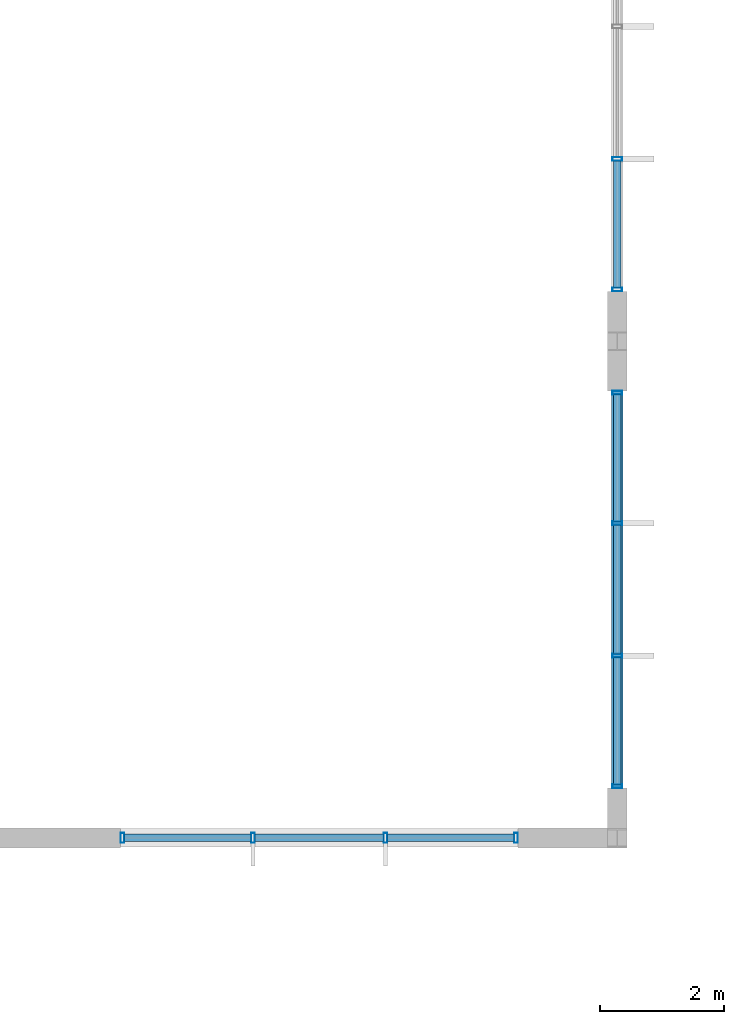
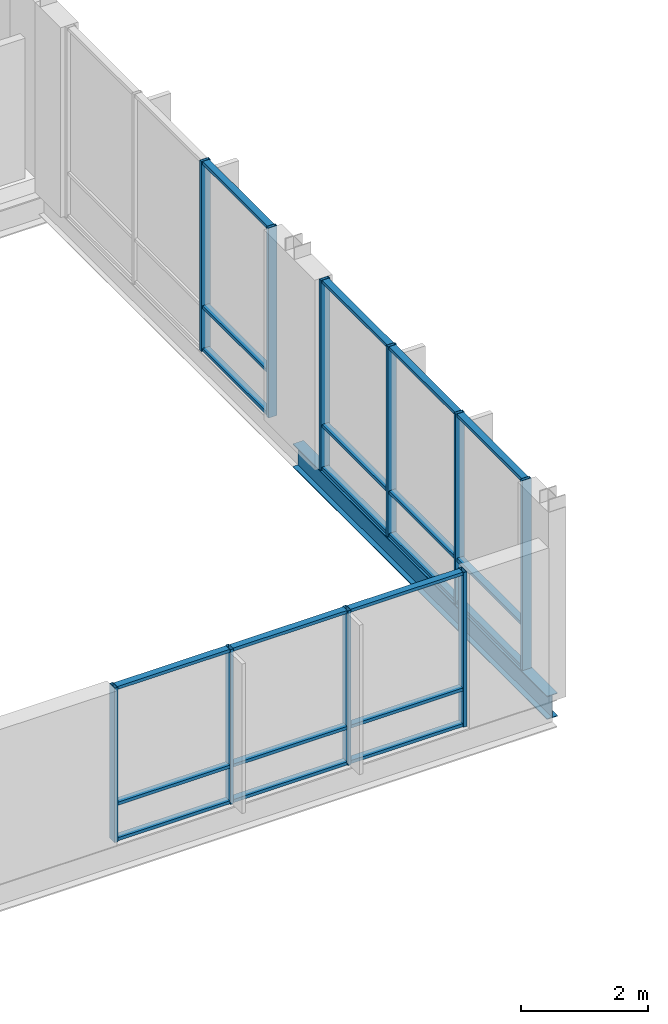
# One storey, part 116 of 189: 31 members, 1 beam, 3 elements without a shape of their own.
"""IFC4 building model written with IfcOpenShell, lengths in metres."""

from ifc_helpers import new_model, si_unit, direction, frame, origin, origin_2d, place, context, subcontext, project, spatial, hollow_rectangle, i_section, extrude, material, material_profile, profile_set, type_object, element, aggregate, save


model = new_model("IFC4")

# Units and contexts
model_context = context("Model", 3, precision=1e-05, world=origin(), true_north=direction((0.0, 1.0)))
body_context = subcontext(model_context, "Body", "Model", "MODEL_VIEW")
ifc_project = project(units=[si_unit("LENGTHUNIT", "METRE"), si_unit("AREAUNIT", "SQUARE_METRE"), si_unit("VOLUMEUNIT", "CUBIC_METRE"), si_unit("PLANEANGLEUNIT", "RADIAN"), si_unit("MASSUNIT", "GRAM", prefix="KILO")], contexts=[model_context])

# Site, building, storey
site_placement = place(None, origin())
site = spatial("IfcSite", under=ifc_project, at=site_placement, CompositionType="ELEMENT")
building_placement = place(site_placement, origin())
building = spatial("IfcBuilding", under=site, at=building_placement, Name="Zavelmont Quarter", CompositionType="ELEMENT")
storey_placement = place(building_placement, frame((0.0, 0.0, 4.39990234375)))
storey = spatial("IfcBuildingStorey", under=building, at=storey_placement, Name="L01", CompositionType="ELEMENT", Elevation=4.39990234375)

# Beam
ifc_material_1 = material(Name="Steel S355", Category="steel")
ifc_material_profile_1 = material_profile(ifc_material_1, i_section(OverallWidth=0.18994140625, OverallDepth=0.449951171875, WebThickness=0.009521484375, FlangeThickness=0.0146484375, at=origin_2d()), Name="IPE 450")
ifc_profile_set_1 = profile_set([ifc_material_profile_1], Name="Steel S355")
beam_type = type_object("IfcBeamType", Name="BM12", PredefinedType="BEAM", material=ifc_profile_set_1)
beam_placement = place(storey_placement, frame((168.0, 38.0, -0.5048828125), z_axis=(0.0, 1.0, 0.0), x_axis=(-1.0, 0.0, 0.0)))
element("IfcBeam", 1, at=beam_placement, inside=storey, type_object=beam_type, Name="L01 beam BM12 25/G to 25/H", PredefinedType="BEAM", context=body_context, shape_type="SweptSolid", body=[
    extrude(i_section(OverallWidth=0.18994140625, OverallDepth=0.449951171875, WebThickness=0.009521484375, FlangeThickness=0.0146484375, at=origin_2d()), origin(), (0.0, 0.0, 1.0), 8.0),
])

# Curtain wall, members
ifc_material_2 = material(Name="Thermally broken aluminium and double low-E safety glazing", Category="aluminium")
curtain_wall_type_1 = type_object("IfcCurtainWallType", Name="CW-640X365", PredefinedType="NOTDEFINED", material=ifc_material_2)
curtain_wall_1_placement = place(storey_placement, origin())
curtain_wall_1 = element("IfcCurtainWall", 2, at=curtain_wall_1_placement, inside=storey, type_object=curtain_wall_type_1, Name="L01 unitised curtain wall CW-640X365", PredefinedType="NOTDEFINED")
ifc_material_3 = material(Name="Powder-coated aluminium EN AW-6063-T6", Category="aluminium")
ifc_material_profile_2 = material_profile(ifc_material_3, hollow_rectangle(XDim=0.06005859375, YDim=0.159912109375, WallThickness=0.00390625, at=origin_2d()), Name="CWM60X160")
ifc_profile_set_2 = profile_set([ifc_material_profile_2], Name="Powder-coated aluminium EN AW-6063-T6")
member_type_1 = type_object("IfcMemberType", Name="CWM01", PredefinedType="MULLION", material=ifc_profile_set_2)
member_1_placement = place(storey_placement, frame((168.0, 38.830078125, -0.27978515625), z_axis=(0.0, 0.0, 1.0), x_axis=(0.0, 1.0, 0.0)))
member_1 = element("IfcMember", 3, at=member_1_placement, type_object=member_type_1, Name="CW-640X365 mullion 1", PredefinedType="MULLION", context=body_context, shape_type="SweptSolid", body=[
    extrude(hollow_rectangle(XDim=0.06005859375, YDim=0.159912109375, WallThickness=0.00390625, at=origin_2d()), origin(), (0.0, 0.0, 1.0), 3.64990234375),
])
member_2_placement = place(storey_placement, frame((168.0, 40.933349609375, -0.27978515625), z_axis=(0.0, 0.0, 1.0), x_axis=(0.0, 1.0, 0.0)))
member_2 = element("IfcMember", 4, at=member_2_placement, type_object=member_type_1, Name="CW-640X365 mullion 2", PredefinedType="MULLION", context=body_context, shape_type="SweptSolid", body=[
    extrude(hollow_rectangle(XDim=0.06005859375, YDim=0.159912109375, WallThickness=0.00390625, at=origin_2d()), origin(), (0.0, 0.0, 1.0), 3.64990234375),
])
member_3_placement = place(storey_placement, frame((168.0, 43.066650390625, -0.27978515625), z_axis=(0.0, 0.0, 1.0), x_axis=(0.0, 1.0, 0.0)))
member_3 = element("IfcMember", 5, at=member_3_placement, type_object=member_type_1, Name="CW-640X365 mullion 3", PredefinedType="MULLION", context=body_context, shape_type="SweptSolid", body=[
    extrude(hollow_rectangle(XDim=0.06005859375, YDim=0.159912109375, WallThickness=0.00390625, at=origin_2d()), origin(), (0.0, 0.0, 1.0), 3.64990234375),
])
member_4_placement = place(storey_placement, frame((168.0, 45.169921875, -0.27978515625), z_axis=(0.0, 0.0, 1.0), x_axis=(0.0, 1.0, 0.0)))
member_4 = element("IfcMember", 6, at=member_4_placement, type_object=member_type_1, Name="CW-640X365 mullion 4", PredefinedType="MULLION", context=body_context, shape_type="SweptSolid", body=[
    extrude(hollow_rectangle(XDim=0.06005859375, YDim=0.159912109375, WallThickness=0.00390625, at=origin_2d()), origin(), (0.0, 0.0, 1.0), 3.64990234375),
])

curtain_wall_2_placement = place(storey_placement, origin())
curtain_wall_2 = element("IfcCurtainWall", 7, at=curtain_wall_2_placement, inside=storey, type_object=curtain_wall_type_1, Name="L01 unitised curtain wall CW-640X365", PredefinedType="NOTDEFINED")
member_5_placement = place(storey_placement, frame((168.0, 46.830078125, -0.27978515625), z_axis=(0.0, 0.0, 1.0), x_axis=(0.0, 1.0, 0.0)))
member_5 = element("IfcMember", 8, at=member_5_placement, type_object=member_type_1, Name="CW-640X365 mullion 1", PredefinedType="MULLION", context=body_context, shape_type="SweptSolid", body=[
    extrude(hollow_rectangle(XDim=0.06005859375, YDim=0.159912109375, WallThickness=0.00390625, at=origin_2d()), origin(), (0.0, 0.0, 1.0), 3.64990234375),
])
member_6_placement = place(storey_placement, frame((168.0, 48.933349609375, -0.27978515625), z_axis=(0.0, 0.0, 1.0), x_axis=(0.0, 1.0, 0.0)))
member_6 = element("IfcMember", 9, at=member_6_placement, type_object=member_type_1, Name="CW-640X365 mullion 2", PredefinedType="MULLION", context=body_context, shape_type="SweptSolid", body=[
    extrude(hollow_rectangle(XDim=0.06005859375, YDim=0.159912109375, WallThickness=0.00390625, at=origin_2d()), origin(), (0.0, 0.0, 1.0), 3.64990234375),
])

curtain_wall_type_2 = type_object("IfcCurtainWallType", Name="CW-640X297", PredefinedType="NOTDEFINED", material=ifc_material_2)
curtain_wall_3_placement = place(storey_placement, origin())
curtain_wall_3 = element("IfcCurtainWall", 10, at=curtain_wall_3_placement, inside=storey, type_object=curtain_wall_type_2, Name="L01 unitised curtain wall CW-640X297", PredefinedType="NOTDEFINED")
member_7_placement = place(storey_placement, frame((160.030029296875, 38.0, -0.27978515625), z_axis=(0.0, 0.0, 1.0), x_axis=(1.0, 0.0, 0.0)))
member_7 = element("IfcMember", 11, at=member_7_placement, type_object=member_type_1, Name="CW-640X297 mullion 1", PredefinedType="MULLION", context=body_context, shape_type="SweptSolid", body=[
    extrude(hollow_rectangle(XDim=0.06005859375, YDim=0.159912109375, WallThickness=0.00390625, at=origin_2d()), origin(), (0.0, 0.0, 1.0), 2.969970703125),
])
member_8_placement = place(storey_placement, frame((162.13330078125, 38.0, -0.27978515625), z_axis=(0.0, 0.0, 1.0), x_axis=(1.0, 0.0, 0.0)))
member_8 = element("IfcMember", 12, at=member_8_placement, type_object=member_type_1, Name="CW-640X297 mullion 2", PredefinedType="MULLION", context=body_context, shape_type="SweptSolid", body=[
    extrude(hollow_rectangle(XDim=0.06005859375, YDim=0.159912109375, WallThickness=0.00390625, at=origin_2d()), origin(), (0.0, 0.0, 1.0), 2.969970703125),
])
member_9_placement = place(storey_placement, frame((164.2666015625, 38.0, -0.27978515625), z_axis=(0.0, 0.0, 1.0), x_axis=(1.0, 0.0, 0.0)))
member_9 = element("IfcMember", 13, at=member_9_placement, type_object=member_type_1, Name="CW-640X297 mullion 3", PredefinedType="MULLION", context=body_context, shape_type="SweptSolid", body=[
    extrude(hollow_rectangle(XDim=0.06005859375, YDim=0.159912109375, WallThickness=0.00390625, at=origin_2d()), origin(), (0.0, 0.0, 1.0), 2.969970703125),
])
member_10_placement = place(storey_placement, frame((166.3701171875, 38.0, -0.27978515625), z_axis=(0.0, 0.0, 1.0), x_axis=(1.0, 0.0, 0.0)))
member_10 = element("IfcMember", 14, at=member_10_placement, type_object=member_type_1, Name="CW-640X297 mullion 4", PredefinedType="MULLION", context=body_context, shape_type="SweptSolid", body=[
    extrude(hollow_rectangle(XDim=0.06005859375, YDim=0.159912109375, WallThickness=0.00390625, at=origin_2d()), origin(), (0.0, 0.0, 1.0), 2.969970703125),
])

# Member
ifc_material_profile_3 = material_profile(ifc_material_3, hollow_rectangle(XDim=0.1201171875, YDim=0.06005859375, WallThickness=0.00390625, at=origin_2d()), Name="CWT60X120")
ifc_profile_set_3 = profile_set([ifc_material_profile_3], Name="Powder-coated aluminium EN AW-6063-T6")
member_type_2 = type_object("IfcMemberType", Name="CWT01", PredefinedType="NOTDEFINED", material=ifc_profile_set_3)
member_11_placement = place(storey_placement, frame((168.0, 38.860107421875, -0.25), z_axis=(0.0, 1.0, 0.0), x_axis=(-1.0, 0.0, 0.0)))
member_11 = element("IfcMember", 15, at=member_11_placement, type_object=member_type_2, Name="CW-640X365 transom 1.1", ObjectType="TRANSOM", PredefinedType="USERDEFINED", context=body_context, shape_type="SweptSolid", body=[
    extrude(hollow_rectangle(XDim=0.1201171875, YDim=0.06005859375, WallThickness=0.00390625, at=origin_2d()), origin(), (0.0, 0.0, 1.0), 2.043212890625),
])

member_12_placement = place(storey_placement, frame((168.0, 38.860107421875, 0.570068359375), z_axis=(0.0, 1.0, 0.0), x_axis=(-1.0, 0.0, 0.0)))
member_12 = element("IfcMember", 16, at=member_12_placement, type_object=member_type_2, Name="CW-640X365 transom 1.2", ObjectType="TRANSOM", PredefinedType="USERDEFINED", context=body_context, shape_type="SweptSolid", body=[
    extrude(hollow_rectangle(XDim=0.1201171875, YDim=0.06005859375, WallThickness=0.00390625, at=origin_2d()), origin(), (0.0, 0.0, 1.0), 2.043212890625),
])

member_13_placement = place(storey_placement, frame((168.0, 38.860107421875, 3.340087890625), z_axis=(0.0, 1.0, 0.0), x_axis=(-1.0, 0.0, 0.0)))
member_13 = element("IfcMember", 17, at=member_13_placement, type_object=member_type_2, Name="CW-640X365 transom 1.3", ObjectType="TRANSOM", PredefinedType="USERDEFINED", context=body_context, shape_type="SweptSolid", body=[
    extrude(hollow_rectangle(XDim=0.1201171875, YDim=0.06005859375, WallThickness=0.00390625, at=origin_2d()), origin(), (0.0, 0.0, 1.0), 2.043212890625),
])

member_14_placement = place(storey_placement, frame((168.0, 40.96337890625, -0.25), z_axis=(0.0, 1.0, 0.0), x_axis=(-1.0, 0.0, 0.0)))
member_14 = element("IfcMember", 18, at=member_14_placement, type_object=member_type_2, Name="CW-640X365 transom 2.1", ObjectType="TRANSOM", PredefinedType="USERDEFINED", context=body_context, shape_type="SweptSolid", body=[
    extrude(hollow_rectangle(XDim=0.1201171875, YDim=0.06005859375, WallThickness=0.00390625, at=origin_2d()), origin(), (0.0, 0.0, 1.0), 2.0732421875),
])

member_15_placement = place(storey_placement, frame((168.0, 40.96337890625, 0.570068359375), z_axis=(0.0, 1.0, 0.0), x_axis=(-1.0, 0.0, 0.0)))
member_15 = element("IfcMember", 19, at=member_15_placement, type_object=member_type_2, Name="CW-640X365 transom 2.2", ObjectType="TRANSOM", PredefinedType="USERDEFINED", context=body_context, shape_type="SweptSolid", body=[
    extrude(hollow_rectangle(XDim=0.1201171875, YDim=0.06005859375, WallThickness=0.00390625, at=origin_2d()), origin(), (0.0, 0.0, 1.0), 2.0732421875),
])

member_16_placement = place(storey_placement, frame((168.0, 40.96337890625, 3.340087890625), z_axis=(0.0, 1.0, 0.0), x_axis=(-1.0, 0.0, 0.0)))
member_16 = element("IfcMember", 20, at=member_16_placement, type_object=member_type_2, Name="CW-640X365 transom 2.3", ObjectType="TRANSOM", PredefinedType="USERDEFINED", context=body_context, shape_type="SweptSolid", body=[
    extrude(hollow_rectangle(XDim=0.1201171875, YDim=0.06005859375, WallThickness=0.00390625, at=origin_2d()), origin(), (0.0, 0.0, 1.0), 2.0732421875),
])

member_17_placement = place(storey_placement, frame((168.0, 43.0966796875, -0.25), z_axis=(0.0, 1.0, 0.0), x_axis=(-1.0, 0.0, 0.0)))
member_17 = element("IfcMember", 21, at=member_17_placement, type_object=member_type_2, Name="CW-640X365 transom 3.1", ObjectType="TRANSOM", PredefinedType="USERDEFINED", context=body_context, shape_type="SweptSolid", body=[
    extrude(hollow_rectangle(XDim=0.1201171875, YDim=0.06005859375, WallThickness=0.00390625, at=origin_2d()), origin(), (0.0, 0.0, 1.0), 2.043212890625),
])

member_18_placement = place(storey_placement, frame((168.0, 43.0966796875, 0.570068359375), z_axis=(0.0, 1.0, 0.0), x_axis=(-1.0, 0.0, 0.0)))
member_18 = element("IfcMember", 22, at=member_18_placement, type_object=member_type_2, Name="CW-640X365 transom 3.2", ObjectType="TRANSOM", PredefinedType="USERDEFINED", context=body_context, shape_type="SweptSolid", body=[
    extrude(hollow_rectangle(XDim=0.1201171875, YDim=0.06005859375, WallThickness=0.00390625, at=origin_2d()), origin(), (0.0, 0.0, 1.0), 2.043212890625),
])

member_19_placement = place(storey_placement, frame((168.0, 43.0966796875, 3.340087890625), z_axis=(0.0, 1.0, 0.0), x_axis=(-1.0, 0.0, 0.0)))
member_19 = element("IfcMember", 23, at=member_19_placement, type_object=member_type_2, Name="CW-640X365 transom 3.3", ObjectType="TRANSOM", PredefinedType="USERDEFINED", context=body_context, shape_type="SweptSolid", body=[
    extrude(hollow_rectangle(XDim=0.1201171875, YDim=0.06005859375, WallThickness=0.00390625, at=origin_2d()), origin(), (0.0, 0.0, 1.0), 2.043212890625),
])

aggregate(curtain_wall_1, [member_1, member_2, member_3, member_4, member_11, member_12, member_13, member_14, member_15, member_16, member_17, member_18, member_19])

member_20_placement = place(storey_placement, frame((168.0, 46.860107421875, -0.25), z_axis=(0.0, 1.0, 0.0), x_axis=(-1.0, 0.0, 0.0)))
member_20 = element("IfcMember", 24, at=member_20_placement, type_object=member_type_2, Name="CW-640X365 transom 1.1", ObjectType="TRANSOM", PredefinedType="USERDEFINED", context=body_context, shape_type="SweptSolid", body=[
    extrude(hollow_rectangle(XDim=0.1201171875, YDim=0.06005859375, WallThickness=0.00390625, at=origin_2d()), origin(), (0.0, 0.0, 1.0), 2.043212890625),
])

member_21_placement = place(storey_placement, frame((168.0, 46.860107421875, 0.570068359375), z_axis=(0.0, 1.0, 0.0), x_axis=(-1.0, 0.0, 0.0)))
member_21 = element("IfcMember", 25, at=member_21_placement, type_object=member_type_2, Name="CW-640X365 transom 1.2", ObjectType="TRANSOM", PredefinedType="USERDEFINED", context=body_context, shape_type="SweptSolid", body=[
    extrude(hollow_rectangle(XDim=0.1201171875, YDim=0.06005859375, WallThickness=0.00390625, at=origin_2d()), origin(), (0.0, 0.0, 1.0), 2.043212890625),
])

member_22_placement = place(storey_placement, frame((168.0, 46.860107421875, 3.340087890625), z_axis=(0.0, 1.0, 0.0), x_axis=(-1.0, 0.0, 0.0)))
member_22 = element("IfcMember", 26, at=member_22_placement, type_object=member_type_2, Name="CW-640X365 transom 1.3", ObjectType="TRANSOM", PredefinedType="USERDEFINED", context=body_context, shape_type="SweptSolid", body=[
    extrude(hollow_rectangle(XDim=0.1201171875, YDim=0.06005859375, WallThickness=0.00390625, at=origin_2d()), origin(), (0.0, 0.0, 1.0), 2.043212890625),
])

aggregate(curtain_wall_2, [member_5, member_6, member_20, member_21, member_22])

member_23_placement = place(storey_placement, frame((160.06005859375, 38.0, -0.25), z_axis=(1.0, 0.0, 0.0), x_axis=(0.0, 1.0, 0.0)))
member_23 = element("IfcMember", 27, at=member_23_placement, type_object=member_type_2, Name="CW-640X297 transom 1.1", ObjectType="TRANSOM", PredefinedType="USERDEFINED", context=body_context, shape_type="SweptSolid", body=[
    extrude(hollow_rectangle(XDim=0.1201171875, YDim=0.06005859375, WallThickness=0.00390625, at=origin_2d()), origin(), (0.0, 0.0, 1.0), 2.043212890625),
])

member_24_placement = place(storey_placement, frame((160.06005859375, 38.0, 0.43310546875), z_axis=(1.0, 0.0, 0.0), x_axis=(0.0, 1.0, 0.0)))
member_24 = element("IfcMember", 28, at=member_24_placement, type_object=member_type_2, Name="CW-640X297 transom 1.2", ObjectType="TRANSOM", PredefinedType="USERDEFINED", context=body_context, shape_type="SweptSolid", body=[
    extrude(hollow_rectangle(XDim=0.1201171875, YDim=0.06005859375, WallThickness=0.00390625, at=origin_2d()), origin(), (0.0, 0.0, 1.0), 2.043212890625),
])

member_25_placement = place(storey_placement, frame((160.06005859375, 38.0, 2.66015625), z_axis=(1.0, 0.0, 0.0), x_axis=(0.0, 1.0, 0.0)))
member_25 = element("IfcMember", 29, at=member_25_placement, type_object=member_type_2, Name="CW-640X297 transom 1.3", ObjectType="TRANSOM", PredefinedType="USERDEFINED", context=body_context, shape_type="SweptSolid", body=[
    extrude(hollow_rectangle(XDim=0.1201171875, YDim=0.06005859375, WallThickness=0.00390625, at=origin_2d()), origin(), (0.0, 0.0, 1.0), 2.043212890625),
])

member_26_placement = place(storey_placement, frame((162.163330078125, 38.0, -0.25), z_axis=(1.0, 0.0, 0.0), x_axis=(0.0, 1.0, 0.0)))
member_26 = element("IfcMember", 30, at=member_26_placement, type_object=member_type_2, Name="CW-640X297 transom 2.1", ObjectType="TRANSOM", PredefinedType="USERDEFINED", context=body_context, shape_type="SweptSolid", body=[
    extrude(hollow_rectangle(XDim=0.1201171875, YDim=0.06005859375, WallThickness=0.00390625, at=origin_2d()), origin(), (0.0, 0.0, 1.0), 2.0732421875),
])

member_27_placement = place(storey_placement, frame((162.163330078125, 38.0, 0.43310546875), z_axis=(1.0, 0.0, 0.0), x_axis=(0.0, 1.0, 0.0)))
member_27 = element("IfcMember", 31, at=member_27_placement, type_object=member_type_2, Name="CW-640X297 transom 2.2", ObjectType="TRANSOM", PredefinedType="USERDEFINED", context=body_context, shape_type="SweptSolid", body=[
    extrude(hollow_rectangle(XDim=0.1201171875, YDim=0.06005859375, WallThickness=0.00390625, at=origin_2d()), origin(), (0.0, 0.0, 1.0), 2.0732421875),
])

member_28_placement = place(storey_placement, frame((162.163330078125, 38.0, 2.66015625), z_axis=(1.0, 0.0, 0.0), x_axis=(0.0, 1.0, 0.0)))
member_28 = element("IfcMember", 32, at=member_28_placement, type_object=member_type_2, Name="CW-640X297 transom 2.3", ObjectType="TRANSOM", PredefinedType="USERDEFINED", context=body_context, shape_type="SweptSolid", body=[
    extrude(hollow_rectangle(XDim=0.1201171875, YDim=0.06005859375, WallThickness=0.00390625, at=origin_2d()), origin(), (0.0, 0.0, 1.0), 2.0732421875),
])

member_29_placement = place(storey_placement, frame((164.296630859375, 38.0, -0.25), z_axis=(1.0, 0.0, 0.0), x_axis=(0.0, 1.0, 0.0)))
member_29 = element("IfcMember", 33, at=member_29_placement, type_object=member_type_2, Name="CW-640X297 transom 3.1", ObjectType="TRANSOM", PredefinedType="USERDEFINED", context=body_context, shape_type="SweptSolid", body=[
    extrude(hollow_rectangle(XDim=0.1201171875, YDim=0.06005859375, WallThickness=0.00390625, at=origin_2d()), origin(), (0.0, 0.0, 1.0), 2.04345703125),
])

member_30_placement = place(storey_placement, frame((164.296630859375, 38.0, 0.43310546875), z_axis=(1.0, 0.0, 0.0), x_axis=(0.0, 1.0, 0.0)))
member_30 = element("IfcMember", 34, at=member_30_placement, type_object=member_type_2, Name="CW-640X297 transom 3.2", ObjectType="TRANSOM", PredefinedType="USERDEFINED", context=body_context, shape_type="SweptSolid", body=[
    extrude(hollow_rectangle(XDim=0.1201171875, YDim=0.06005859375, WallThickness=0.00390625, at=origin_2d()), origin(), (0.0, 0.0, 1.0), 2.04345703125),
])

member_31_placement = place(storey_placement, frame((164.296630859375, 38.0, 2.66015625), z_axis=(1.0, 0.0, 0.0), x_axis=(0.0, 1.0, 0.0)))
member_31 = element("IfcMember", 35, at=member_31_placement, type_object=member_type_2, Name="CW-640X297 transom 3.3", ObjectType="TRANSOM", PredefinedType="USERDEFINED", context=body_context, shape_type="SweptSolid", body=[
    extrude(hollow_rectangle(XDim=0.1201171875, YDim=0.06005859375, WallThickness=0.00390625, at=origin_2d()), origin(), (0.0, 0.0, 1.0), 2.04345703125),
])

aggregate(curtain_wall_3, [member_7, member_8, member_9, member_10, member_23, member_24, member_25, member_26, member_27, member_28, member_29, member_30, member_31])

save(model, "model.ifc")
